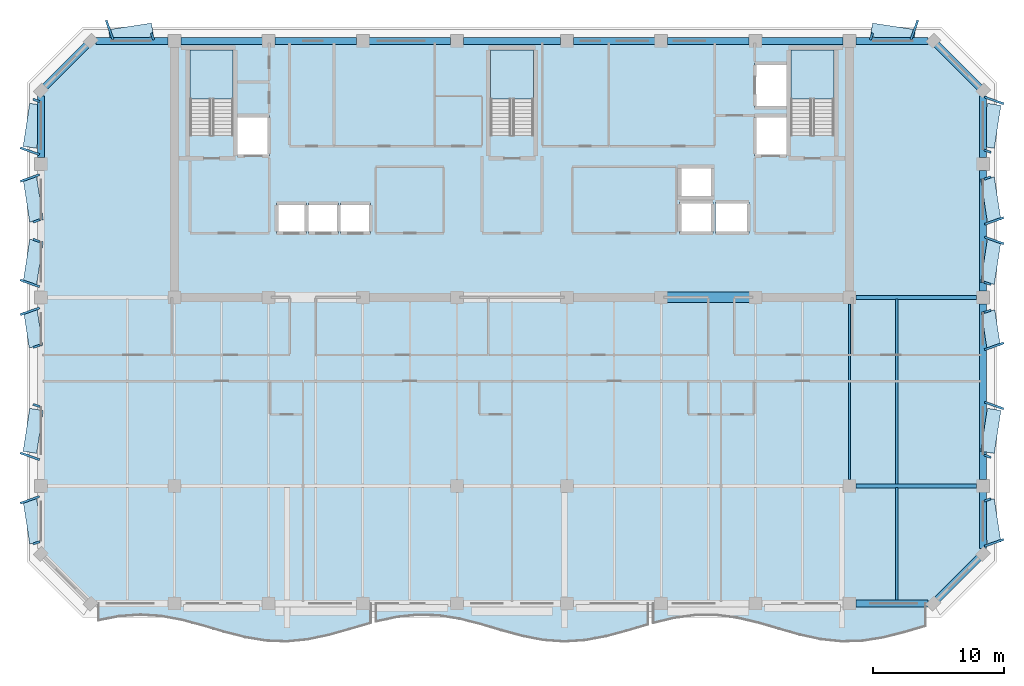
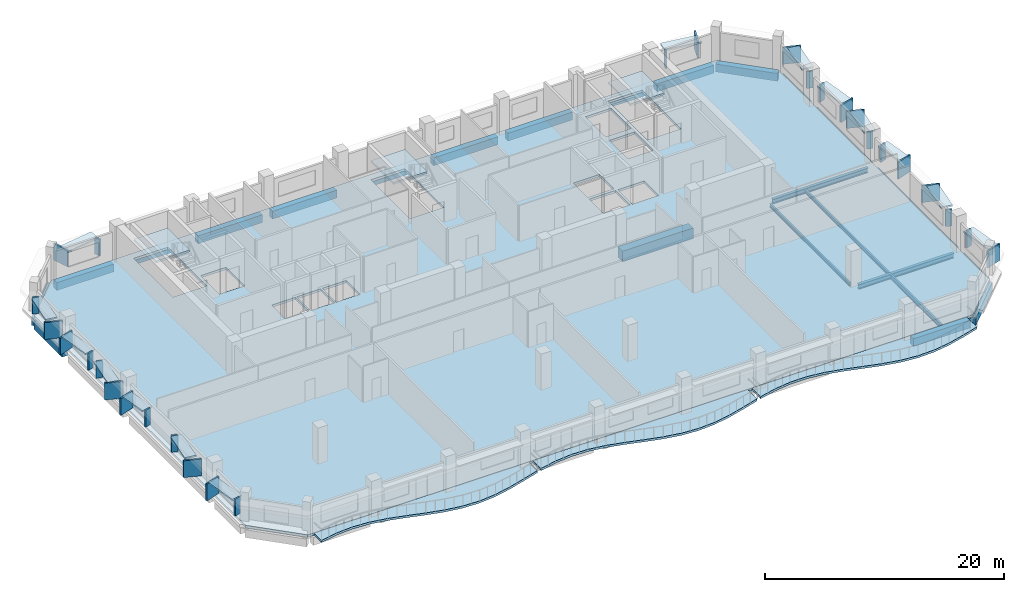
# One storey, part 2 of 11: 42 plates, 24 beams, 7 slabs, 3 elements without a shape of their own.
"""IFC4 building model written with IfcOpenShell, lengths in metres."""

from ifc_helpers import new_model, si_unit, direction, frame, origin, origin_2d, place, context, subcontext, project, spatial, polyline, rectangle, i_section, outline, extrude, material, layer, layer_set, material_profile, profile_set, type_object, element, aggregate, save


model = new_model("IFC4")

# Units and contexts
model_context = context("Model", 3, precision=1e-05, world=origin(), true_north=direction((0.0, 1.0)))
body_context = subcontext(model_context, "Body", "Model", "MODEL_VIEW")
ifc_project = project(units=[si_unit("LENGTHUNIT", "METRE"), si_unit("AREAUNIT", "SQUARE_METRE"), si_unit("VOLUMEUNIT", "CUBIC_METRE"), si_unit("PLANEANGLEUNIT", "RADIAN"), si_unit("MASSUNIT", "GRAM", prefix="KILO")], contexts=[model_context])

# Site, building, storey
site_placement = place(None, origin())
site = spatial("IfcSite", under=ifc_project, at=site_placement, CompositionType="ELEMENT")
building_placement = place(site_placement, origin())
building = spatial("IfcBuilding", under=site, at=building_placement, Name="Kaelvorn Grand Hotel", CompositionType="ELEMENT")
storey_placement = place(building_placement, frame((0.0, 0.0, 268.64990234375)))
storey = spatial("IfcBuildingStorey", under=building, at=storey_placement, Name="L66", CompositionType="ELEMENT", Elevation=268.64990234375)

# Beams
ifc_material_1 = material(Name="Steel S355", Category="steel")
ifc_material_profile_1 = material_profile(ifc_material_1, i_section(OverallWidth=0.300048828125, OverallDepth=0.5, WebThickness=0.014404296875, FlangeThickness=0.028076171875, FilletRadius=0.027099609375, at=origin_2d()), Name="HEB 500")
ifc_profile_set_1 = profile_set([ifc_material_profile_1], Name="Steel S355")
beam_type_1 = type_object("IfcBeamType", Name="BM-G-HEB500-S355", PredefinedType="BEAM", material=ifc_profile_set_1)
for number, where, z_axis, x_axis, name in (
    (1, (68.284912109375, 15.0, -0.489990234375), (1.0, 0.0, 0.0), (0.0, 1.0, 0.0), "L66 Primary Spine Steel Girder G-15 05"),
    (2, (68.284912109375, 29.39990234375, -0.489990234375), (1.0, 0.0, 0.0), (0.0, 1.0, 0.0), "L66 East Core Wing Steel Girder G-29E 01"),
):
    element("IfcBeam", number, at=place(storey_placement, frame(where, z_axis=z_axis, x_axis=x_axis)), inside=storey, type_object=beam_type_1, Name=name, PredefinedType="BEAM", context=body_context, shape_type="SweptSolid", body=[
        extrude(i_section(OverallWidth=0.300048828125, OverallDepth=0.5, WebThickness=0.014404296875, FlangeThickness=0.028076171875, FilletRadius=0.027099609375, at=origin_2d()), origin(), (0.0, 0.0, 1.0), 9.22998046875),
    ])
ifc_material_profile_2 = material_profile(ifc_material_1, i_section(OverallWidth=0.169921875, OverallDepth=0.360107421875, WebThickness=0.008056640625, FlangeThickness=0.0126953125, FilletRadius=0.01806640625, at=origin_2d()), Name="IPE 360")
ifc_profile_set_2 = profile_set([ifc_material_profile_2], Name="Steel S355")
beam_type_2 = type_object("IfcBeamType", Name="BM-J-IPE360-S355", PredefinedType="JOIST", material=ifc_profile_set_2)
beam_1_placement = place(storey_placement, frame((67.800048828125, 15.485107421875, -0.419921875), z_axis=(0.0, 1.0, 0.0), x_axis=(-1.0, 0.0, 0.0)))
element("IfcBeam", 3, at=beam_1_placement, inside=storey, type_object=beam_type_2, Name="L66 Composite Floor Joist JM-19", PredefinedType="JOIST", context=body_context, shape_type="SweptSolid", body=[
    extrude(i_section(OverallWidth=0.169921875, OverallDepth=0.360107421875, WebThickness=0.008056640625, FlangeThickness=0.0126953125, FilletRadius=0.01806640625, at=origin_2d()), origin(), (0.0, 0.0, 1.0), 13.429931640625),
])
beam_2_placement = place(storey_placement, frame((71.39990234375, 15.135009765625, -0.419921875), z_axis=(0.0, 1.0, 0.0), x_axis=(-1.0, 0.0, 0.0)))
element("IfcBeam", 4, at=beam_2_placement, inside=storey, type_object=beam_type_2, Name="L66 Composite Floor Joist JM-20", PredefinedType="JOIST", context=body_context, shape_type="SweptSolid", body=[
    extrude(i_section(OverallWidth=0.169921875, OverallDepth=0.360107421875, WebThickness=0.008056640625, FlangeThickness=0.0126953125, FilletRadius=0.01806640625, at=origin_2d()), origin(), (0.0, 0.0, 1.0), 14.1298828125),
])
ifc_material_profile_3 = material_profile(ifc_material_1, i_section(OverallWidth=0.18994140625, OverallDepth=0.449951171875, WebThickness=0.009521484375, FlangeThickness=0.0146484375, FilletRadius=0.02099609375, at=origin_2d()), Name="IPE 450")
ifc_profile_set_3 = profile_set([ifc_material_profile_3], Name="Steel S355")
beam_type_3 = type_object("IfcBeamType", Name="BM-J-IPE450-S355", PredefinedType="JOIST", material=ifc_profile_set_3)
beam_3_placement = place(storey_placement, frame((71.39990234375, 6.260009765625, -0.46484375), z_axis=(0.0, 1.0, 0.0), x_axis=(-1.0, 0.0, 0.0)))
element("IfcBeam", 5, at=beam_3_placement, inside=storey, type_object=beam_type_3, Name="L66 Composite Floor Joist JS-20", PredefinedType="JOIST", context=body_context, shape_type="SweptSolid", body=[
    extrude(i_section(OverallWidth=0.18994140625, OverallDepth=0.449951171875, WebThickness=0.009521484375, FlangeThickness=0.0146484375, FilletRadius=0.02099609375, at=origin_2d()), origin(), (0.0, 0.0, 1.0), 8.60498046875),
])
ifc_material_2 = material(Name="Concrete C60/75", Category="concrete")
ifc_material_profile_4 = material_profile(ifc_material_2, rectangle(XDim=0.800048828125, YDim=1.10009765625, at=origin_2d()), Name="RC LINTEL 800x1100")
ifc_profile_set_4 = profile_set([ifc_material_profile_4], Name="Concrete C60/75")
beam_type_4 = type_object("IfcBeamType", Name="BM-LIN-800x1100-C60", PredefinedType="LINTEL", material=ifc_profile_set_4)
beam_4_placement = place(storey_placement, frame((53.580078125, 29.39990234375, -0.789794921875), z_axis=(1.0, 0.0, 0.0), x_axis=(0.0, 1.0, 0.0)))
element("IfcBeam", 6, at=beam_4_placement, inside=storey, type_object=beam_type_4, Name="L66 Rear-Core Coupling Lintel Beam CB1-03", PredefinedType="LINTEL", context=body_context, shape_type="SweptSolid", body=[
    extrude(rectangle(XDim=0.800048828125, YDim=1.10009765625, at=origin_2d()), origin(), (0.0, 0.0, 1.0), 6.83984375),
])
ifc_material_3 = material(Name="Concrete C50/60", Category="concrete")
ifc_material_profile_5 = material_profile(ifc_material_3, rectangle(XDim=0.550048828125, YDim=0.800048828125, at=origin_2d()), Name="RC SPANDREL 550x800")
ifc_profile_set_5 = profile_set([ifc_material_profile_5], Name="Concrete C50/60")
beam_type_5 = type_object("IfcBeamType", Name="BM-SP-550x800-C50", PredefinedType="SPANDREL", material=ifc_profile_set_5)
for number, where, z_axis, x_axis, name in (
    (7, (68.284912109375, 6.0, -0.639892578125), (1.0, 0.0, 0.0), (0.0, 1.0, 0.0), "L66 South Perimeter Spandrel 09"),
    (8, (10.205078125, 49.0, -0.639892578125), (1.0, 0.0, 0.0), (0.0, 1.0, 0.0), "L66 North Perimeter Spandrel 01"),
):
    element("IfcBeam", number, at=place(storey_placement, frame(where, z_axis=z_axis, x_axis=x_axis)), inside=storey, type_object=beam_type_5, Name=name, PredefinedType="SPANDREL", context=body_context, shape_type="SweptSolid", body=[
        extrude(rectangle(XDim=0.550048828125, YDim=0.800048828125, at=origin_2d()), origin(), (0.0, 0.0, 1.0), 5.510009765625),
    ])
for number, where, z_axis, x_axis, name in (
    (9, (16.68505859375, 49.0, -0.639892578125), (1.0, 0.0, 0.0), (0.0, 1.0, 0.0), "L66 North Perimeter Spandrel 02"),
    (10, (23.885009765625, 49.0, -0.639892578125), (1.0, 0.0, 0.0), (0.0, 1.0, 0.0), "L66 North Perimeter Spandrel 03"),
    (11, (31.0849609375, 49.0, -0.639892578125), (1.0, 0.0, 0.0), (0.0, 1.0, 0.0), "L66 North Perimeter Spandrel 04"),
):
    element("IfcBeam", number, at=place(storey_placement, frame(where, z_axis=z_axis, x_axis=x_axis)), inside=storey, type_object=beam_type_5, Name=name, PredefinedType="SPANDREL", context=body_context, shape_type="SweptSolid", body=[
        extrude(rectangle(XDim=0.550048828125, YDim=0.800048828125, at=origin_2d()), origin(), (0.0, 0.0, 1.0), 6.22998046875),
    ])
beam_5_placement = place(storey_placement, frame((38.284912109375, 49.0, -0.639892578125), z_axis=(1.0, 0.0, 0.0), x_axis=(0.0, 1.0, 0.0)))
element("IfcBeam", 12, at=beam_5_placement, inside=storey, type_object=beam_type_5, Name="L66 North Perimeter Spandrel 05", PredefinedType="SPANDREL", context=body_context, shape_type="SweptSolid", body=[
    extrude(rectangle(XDim=0.550048828125, YDim=0.800048828125, at=origin_2d()), origin(), (0.0, 0.0, 1.0), 7.43017578125),
])
for number, where, z_axis, x_axis, name in (
    (13, (46.68505859375, 49.0, -0.639892578125), (1.0, 0.0, 0.0), (0.0, 1.0, 0.0), "L66 North Perimeter Spandrel 06"),
    (14, (53.885009765625, 49.0, -0.639892578125), (1.0, 0.0, 0.0), (0.0, 1.0, 0.0), "L66 North Perimeter Spandrel 07"),
    (15, (61.0849609375, 49.0, -0.639892578125), (1.0, 0.0, 0.0), (0.0, 1.0, 0.0), "L66 North Perimeter Spandrel 08"),
):
    element("IfcBeam", number, at=place(storey_placement, frame(where, z_axis=z_axis, x_axis=x_axis)), inside=storey, type_object=beam_type_5, Name=name, PredefinedType="SPANDREL", context=body_context, shape_type="SweptSolid", body=[
        extrude(rectangle(XDim=0.550048828125, YDim=0.800048828125, at=origin_2d()), origin(), (0.0, 0.0, 1.0), 6.22998046875),
    ])
beam_6_placement = place(storey_placement, frame((68.284912109375, 49.0, -0.639892578125), z_axis=(1.0, 0.0, 0.0), x_axis=(0.0, 1.0, 0.0)))
element("IfcBeam", 16, at=beam_6_placement, inside=storey, type_object=beam_type_5, Name="L66 North Perimeter Spandrel 09", PredefinedType="SPANDREL", context=body_context, shape_type="SweptSolid", body=[
    extrude(rectangle(XDim=0.550048828125, YDim=0.800048828125, at=origin_2d()), origin(), (0.0, 0.0, 1.0), 5.510009765625),
])
beam_7_placement = place(storey_placement, frame((6.0, 40.0849609375, -0.639892578125), z_axis=(0.0, 1.0, 0.0), x_axis=(-1.0, 0.0, 0.0)))
element("IfcBeam", 17, at=beam_7_placement, inside=storey, type_object=beam_type_5, Name="L66 West Perimeter Spandrel 04", PredefinedType="SPANDREL", context=body_context, shape_type="SweptSolid", body=[
    extrude(rectangle(XDim=0.550048828125, YDim=0.800048828125, at=origin_2d()), origin(), (0.0, 0.0, 1.0), 4.7099609375),
])
beam_8_placement = place(storey_placement, frame((78.0, 10.205078125, -0.639892578125), z_axis=(0.0, 1.0, 0.0), x_axis=(-1.0, 0.0, 0.0)))
element("IfcBeam", 18, at=beam_8_placement, inside=storey, type_object=beam_type_5, Name="L66 East Perimeter Spandrel 01", PredefinedType="SPANDREL", context=body_context, shape_type="SweptSolid", body=[
    extrude(rectangle(XDim=0.550048828125, YDim=0.800048828125, at=origin_2d()), origin(), (0.0, 0.0, 1.0), 4.309814453125),
])
beam_9_placement = place(storey_placement, frame((78.0, 15.485107421875, -0.639892578125), z_axis=(0.0, 1.0, 0.0), x_axis=(-1.0, 0.0, 0.0)))
element("IfcBeam", 19, at=beam_9_placement, inside=storey, type_object=beam_type_5, Name="L66 East Perimeter Spandrel 02", PredefinedType="SPANDREL", context=body_context, shape_type="SweptSolid", body=[
    extrude(rectangle(XDim=0.550048828125, YDim=0.800048828125, at=origin_2d()), origin(), (0.0, 0.0, 1.0), 13.429931640625),
])
beam_10_placement = place(storey_placement, frame((78.0, 29.885009765625, -0.639892578125), z_axis=(0.0, 1.0, 0.0), x_axis=(-1.0, 0.0, 0.0)))
element("IfcBeam", 20, at=beam_10_placement, inside=storey, type_object=beam_type_5, Name="L66 East Perimeter Spandrel 03", PredefinedType="SPANDREL", context=body_context, shape_type="SweptSolid", body=[
    extrude(rectangle(XDim=0.550048828125, YDim=0.800048828125, at=origin_2d()), origin(), (0.0, 0.0, 1.0), 9.22998046875),
])
beam_11_placement = place(storey_placement, frame((78.0, 40.0849609375, -0.639892578125), z_axis=(0.0, 1.0, 0.0), x_axis=(-1.0, 0.0, 0.0)))
element("IfcBeam", 21, at=beam_11_placement, inside=storey, type_object=beam_type_5, Name="L66 East Perimeter Spandrel 04", PredefinedType="SPANDREL", context=body_context, shape_type="SweptSolid", body=[
    extrude(rectangle(XDim=0.550048828125, YDim=0.800048828125, at=origin_2d()), origin(), (0.0, 0.0, 1.0), 4.7099609375),
])
for number, where, z_axis, x_axis, name in (
    (22, (74.199951171875, 6.0, -0.639892578125), (0.707106781187, 0.707106781187, 0.0), (-0.707106781187, 0.707106781187, 0.0), "L66 Chamfer Spandrel Beam 1"),
    (23, (78.0, 45.199951171875, -0.639892578125), (-0.707106781187, 0.707106781187, 0.0), (-0.707106781187, -0.707106781187, 0.0), "L66 Chamfer Spandrel Beam 2"),
    (24, (9.800048828125, 49.0, -0.639892578125), (-0.707106781187, -0.707106781187, 0.0), (0.707106781187, -0.707106781187, 0.0), "L66 Chamfer Spandrel Beam 3"),
):
    element("IfcBeam", number, at=place(storey_placement, frame(where, z_axis=z_axis, x_axis=x_axis)), inside=storey, type_object=beam_type_5, Name=name, PredefinedType="SPANDREL", context=body_context, shape_type="SweptSolid", body=[
        extrude(rectangle(XDim=0.550048828125, YDim=0.800048828125, at=origin_2d()), origin(), (0.0, 0.0, 1.0), 5.3740234375),
    ])

# Plates
ifc_material_4 = material(Name="Precast concrete C45/55", Category="concrete")
ifc_layer_1 = layer(ifc_material_4, 0.159912109375)
ifc_layer_set_1 = layer_set([ifc_layer_1], Name="Precast concrete C45/55")
plate_type_1 = type_object("IfcPlateType", Name="PL-FRAME-DEEP-1550", PredefinedType="USERDEFINED", material=ifc_layer_set_1)
for number, where, z_axis, x_axis, name in (
    (25, (78.844970703125, 10.64501953125, 0.740234375), (0.0, 0.0, 1.0), (-0.333806859234, 0.942641491092, 0.0), "L66 Tilted Precast Window Frame Fin L-E01"),
    (26, (78.844970703125, 21.139892578125, 0.81494140625), (0.0, 0.0, 1.0), (0.333806859234, 0.942641491092, 0.0), "L66 Tilted Precast Window Frame Fin R-E02"),
    (27, (78.844970703125, 25.659912109375, 0.740234375), (0.0, 0.0, 1.0), (-0.333806859234, 0.942641491092, 0.0), "L66 Tilted Precast Window Frame Fin L-E03"),
    (28, (78.844970703125, 33.7548828125, 0.740234375), (0.0, 0.0, 1.0), (0.333806859234, 0.942641491092, 0.0), "L66 Tilted Precast Window Frame Fin R-E04"),
    (29, (78.844970703125, 35.2451171875, 0.740234375), (0.0, 0.0, 1.0), (-0.333806859234, 0.942641491092, 0.0), "L66 Tilted Precast Window Frame Fin L-E05"),
    (30, (78.844970703125, 44.455078125, 0.81494140625), (0.0, 0.0, 1.0), (0.333806859234, 0.942641491092, 0.0), "L66 Tilted Precast Window Frame Fin R-E06"),
    (31, (5.155029296875, 13.925048828125, 0.740234375), (0.0, 0.0, 1.0), (-0.333806859234, 0.942641491092, 0.0), "L66 Tilted Precast Window Frame Fin R-W01"),
    (32, (5.155029296875, 17.260009765625, 0.81494140625), (0.0, 0.0, 1.0), (0.333806859234, 0.942641491092, 0.0), "L66 Tilted Precast Window Frame Fin L-W02"),
    (33, (5.155029296875, 28.340087890625, 0.740234375), (0.0, 0.0, 1.0), (-0.333806859234, 0.942641491092, 0.0), "L66 Tilted Precast Window Frame Fin R-W03"),
    (34, (5.155029296875, 30.47509765625, 0.740234375), (0.0, 0.0, 1.0), (0.333806859234, 0.942641491092, 0.0), "L66 Tilted Precast Window Frame Fin L-W04"),
    (35, (5.155029296875, 38.52490234375, 0.740234375), (0.0, 0.0, 1.0), (-0.333806859234, 0.942641491092, 0.0), "L66 Tilted Precast Window Frame Fin R-W05"),
    (36, (5.155029296875, 40.574951171875, 0.81494140625), (0.0, 0.0, 1.0), (0.333806859234, 0.942641491092, 0.0), "L66 Tilted Precast Window Frame Fin L-W06"),
    (37, (11.2451171875, 49.844970703125, 0.740234375), (0.0, 0.0, 1.0), (0.942641491092, 0.333806859234, 0.0), "L66 Tilted Precast Window Frame Fin L-N01"),
    (38, (72.7548828125, 49.844970703125, 0.740234375), (0.0, 0.0, 1.0), (0.942641491092, -0.333806859234, 0.0), "L66 Tilted Precast Window Frame Fin R-N02"),
):
    element("IfcPlate", number, at=place(storey_placement, frame(where, z_axis=z_axis, x_axis=x_axis)), inside=storey, type_object=plate_type_1, Name=name, ObjectType="FLANGE_PLATE", PredefinedType="USERDEFINED", context=body_context, shape_type="SweptSolid", body=[
        extrude(rectangle(XDim=0.159912109375, YDim=1.550048828125, at=origin_2d()), origin(), (0.0, 0.0, 1.0), 1.719970703125),
    ])
ifc_layer_2 = layer(ifc_material_4, 0.159912109375)
ifc_layer_set_2 = layer_set([ifc_layer_2], Name="Precast concrete C45/55")
plate_type_2 = type_object("IfcPlateType", Name="PL-FRAME-HEAD-1050", PredefinedType="USERDEFINED", material=ifc_layer_set_2)
for number, where, z_axis, x_axis, name in (
    (39, (78.594970703125, 12.284912109375, 2.35009765625), (0.0, 0.0, 1.0), (-0.152554625759, 0.988295040036, 0.0), "L66 Precast Window Frame Head Hood H-E01"),
    (40, (78.594970703125, 19.199951171875, 2.5), (0.0, 0.0, 1.0), (0.152554625759, 0.988295040036, 0.0), "L66 Precast Window Frame Head Hood H-E02"),
):
    element("IfcPlate", number, at=place(storey_placement, frame(where, z_axis=z_axis, x_axis=x_axis)), inside=storey, type_object=plate_type_2, Name=name, ObjectType="FLANGE_PLATE", PredefinedType="USERDEFINED", context=body_context, shape_type="SweptSolid", body=[
        extrude(rectangle(XDim=3.320068359375, YDim=1.050048828125, at=origin_2d()), origin(), (0.0, 0.0, 1.0), 0.159912109375),
    ])
plate_1_placement = place(storey_placement, frame((78.594970703125, 27.0, 2.35009765625), z_axis=(0.0, 0.0, 1.0), x_axis=(-0.152554625759, 0.988295040036, 0.0)))
element("IfcPlate", 41, at=plate_1_placement, inside=storey, type_object=plate_type_2, Name="L66 Precast Window Frame Head Hood H-E03", ObjectType="FLANGE_PLATE", PredefinedType="USERDEFINED", context=body_context, shape_type="SweptSolid", body=[
    extrude(rectangle(XDim=2.760009765625, YDim=1.050048828125, at=origin_2d()), origin(), (0.0, 0.0, 1.0), 0.159912109375),
])
for number, where, z_axis, x_axis, name in (
    (42, (78.594970703125, 32.114990234375, 2.35009765625), (0.0, 0.0, 1.0), (0.152554625759, 0.988295040036, 0.0), "L66 Precast Window Frame Head Hood H-E04"),
    (43, (78.594970703125, 36.885009765625, 2.35009765625), (0.0, 0.0, 1.0), (-0.152554625759, 0.988295040036, 0.0), "L66 Precast Window Frame Head Hood H-E05"),
    (44, (78.594970703125, 42.514892578125, 2.5), (0.0, 0.0, 1.0), (0.152554625759, 0.988295040036, 0.0), "L66 Precast Window Frame Head Hood H-E06"),
    (45, (5.405029296875, 12.284912109375, 2.35009765625), (0.0, 0.0, 1.0), (-0.152554625759, 0.988295040036, 0.0), "L66 Precast Window Frame Head Hood H-W01"),
    (46, (5.405029296875, 19.199951171875, 2.5), (0.0, 0.0, 1.0), (0.152554625759, 0.988295040036, 0.0), "L66 Precast Window Frame Head Hood H-W02"),
):
    element("IfcPlate", number, at=place(storey_placement, frame(where, z_axis=z_axis, x_axis=x_axis)), inside=storey, type_object=plate_type_2, Name=name, ObjectType="FLANGE_PLATE", PredefinedType="USERDEFINED", context=body_context, shape_type="SweptSolid", body=[
        extrude(rectangle(XDim=3.320068359375, YDim=1.050048828125, at=origin_2d()), origin(), (0.0, 0.0, 1.0), 0.159912109375),
    ])
plate_2_placement = place(storey_placement, frame((5.405029296875, 27.0, 2.35009765625), z_axis=(0.0, 0.0, 1.0), x_axis=(-0.152554625759, 0.988295040036, 0.0)))
element("IfcPlate", 47, at=plate_2_placement, inside=storey, type_object=plate_type_2, Name="L66 Precast Window Frame Head Hood H-W03", ObjectType="FLANGE_PLATE", PredefinedType="USERDEFINED", context=body_context, shape_type="SweptSolid", body=[
    extrude(rectangle(XDim=2.760009765625, YDim=1.050048828125, at=origin_2d()), origin(), (0.0, 0.0, 1.0), 0.159912109375),
])
for number, where, z_axis, x_axis, name in (
    (48, (5.405029296875, 32.114990234375, 2.35009765625), (0.0, 0.0, 1.0), (0.152554625759, 0.988295040036, 0.0), "L66 Precast Window Frame Head Hood H-W04"),
    (49, (5.405029296875, 36.885009765625, 2.35009765625), (0.0, 0.0, 1.0), (-0.152554625759, 0.988295040036, 0.0), "L66 Precast Window Frame Head Hood H-W05"),
    (50, (5.405029296875, 42.514892578125, 2.5), (0.0, 0.0, 1.0), (0.152554625759, 0.988295040036, 0.0), "L66 Precast Window Frame Head Hood H-W06"),
    (51, (12.885009765625, 49.594970703125, 2.35009765625), (0.0, 0.0, 1.0), (0.988295040036, 0.152554625759, 0.0), "L66 Precast Window Frame Head Hood H-N01"),
    (52, (71.114990234375, 49.594970703125, 2.35009765625), (0.0, 0.0, 1.0), (0.988295040036, -0.152554625759, 0.0), "L66 Precast Window Frame Head Hood H-N02"),
):
    element("IfcPlate", number, at=place(storey_placement, frame(where, z_axis=z_axis, x_axis=x_axis)), inside=storey, type_object=plate_type_2, Name=name, ObjectType="FLANGE_PLATE", PredefinedType="USERDEFINED", context=body_context, shape_type="SweptSolid", body=[
        extrude(rectangle(XDim=3.320068359375, YDim=1.050048828125, at=origin_2d()), origin(), (0.0, 0.0, 1.0), 0.159912109375),
    ])
ifc_layer_3 = layer(ifc_material_4, 0.159912109375)
ifc_layer_set_3 = layer_set([ifc_layer_3], Name="Precast concrete C45/55")
plate_type_3 = type_object("IfcPlateType", Name="PL-FRAME-SHAL-550", PredefinedType="USERDEFINED", material=ifc_layer_set_3)
for number, where, z_axis, x_axis, name in (
    (53, (78.344970703125, 13.925048828125, 0.740234375), (0.0, 0.0, 1.0), (-0.333806859234, 0.942641491092, 0.0), "L66 Tilted Precast Window Frame Fin R-E01"),
    (54, (78.344970703125, 17.260009765625, 0.81494140625), (0.0, 0.0, 1.0), (0.333806859234, 0.942641491092, 0.0), "L66 Tilted Precast Window Frame Fin L-E02"),
    (55, (78.344970703125, 28.340087890625, 0.740234375), (0.0, 0.0, 1.0), (-0.333806859234, 0.942641491092, 0.0), "L66 Tilted Precast Window Frame Fin R-E03"),
    (56, (78.344970703125, 30.47509765625, 0.740234375), (0.0, 0.0, 1.0), (0.333806859234, 0.942641491092, 0.0), "L66 Tilted Precast Window Frame Fin L-E04"),
    (57, (78.344970703125, 38.52490234375, 0.740234375), (0.0, 0.0, 1.0), (-0.333806859234, 0.942641491092, 0.0), "L66 Tilted Precast Window Frame Fin R-E05"),
    (58, (78.344970703125, 40.574951171875, 0.81494140625), (0.0, 0.0, 1.0), (0.333806859234, 0.942641491092, 0.0), "L66 Tilted Precast Window Frame Fin L-E06"),
    (59, (5.655029296875, 10.64501953125, 0.740234375), (0.0, 0.0, 1.0), (-0.333806859234, 0.942641491092, 0.0), "L66 Tilted Precast Window Frame Fin L-W01"),
    (60, (5.655029296875, 21.139892578125, 0.81494140625), (0.0, 0.0, 1.0), (0.333806859234, 0.942641491092, 0.0), "L66 Tilted Precast Window Frame Fin R-W02"),
    (61, (5.655029296875, 25.659912109375, 0.740234375), (0.0, 0.0, 1.0), (-0.333806859234, 0.942641491092, 0.0), "L66 Tilted Precast Window Frame Fin L-W03"),
    (62, (5.655029296875, 33.7548828125, 0.740234375), (0.0, 0.0, 1.0), (0.333806859234, 0.942641491092, 0.0), "L66 Tilted Precast Window Frame Fin R-W04"),
    (63, (5.655029296875, 35.2451171875, 0.740234375), (0.0, 0.0, 1.0), (-0.333806859234, 0.942641491092, 0.0), "L66 Tilted Precast Window Frame Fin L-W05"),
    (64, (5.655029296875, 44.455078125, 0.81494140625), (0.0, 0.0, 1.0), (0.333806859234, 0.942641491092, 0.0), "L66 Tilted Precast Window Frame Fin R-W06"),
    (65, (14.52490234375, 49.344970703125, 0.740234375), (0.0, 0.0, 1.0), (0.942641491092, 0.333806859234, 0.0), "L66 Tilted Precast Window Frame Fin R-N01"),
    (66, (69.47509765625, 49.344970703125, 0.740234375), (0.0, 0.0, 1.0), (0.942641491092, -0.333806859234, 0.0), "L66 Tilted Precast Window Frame Fin L-N02"),
):
    element("IfcPlate", number, at=place(storey_placement, frame(where, z_axis=z_axis, x_axis=x_axis)), inside=storey, type_object=plate_type_3, Name=name, ObjectType="FLANGE_PLATE", PredefinedType="USERDEFINED", context=body_context, shape_type="SweptSolid", body=[
        extrude(rectangle(XDim=0.159912109375, YDim=0.550048828125, at=origin_2d()), origin(), (0.0, 0.0, 1.0), 1.719970703125),
    ])

# Slabs
ifc_material_5 = material(Name="Concrete C40/50", Category="concrete")
ifc_layer_4 = layer(ifc_material_5, 0.219970703125)
ifc_layer_set_4 = layer_set([ifc_layer_4], Name="Concrete C40/50")
slab_type_1 = type_object("IfcSlabType", Name="SLB-BALC-220-C40", PredefinedType="FLOOR", material=ifc_layer_set_4)
slab_1_placement = place(storey_placement, frame((0.0, 0.0, -0.219970703125)))
element("IfcSlab", 67, at=slab_1_placement, inside=storey, type_object=slab_type_1, Name="L66 Scalloped Wave Balcony Slab 1", PredefinedType="FLOOR", context=body_context, shape_type="SweptSolid", body=[
    extrude(outline(polyline([(10.39990234375, 4.7275390625), (12.0, 5.03564453125), (13.60009765625, 5.14990234375), (15.199951171875, 5.046142578125), (16.800048828125, 4.74658203125), (18.39990234375, 4.314697265625), (20.0, 3.842529296875), (21.60009765625, 3.430419921875), (23.199951171875, 3.166015625), (24.800048828125, 3.105712890625), (26.39990234375, 3.26220703125), (28.0, 3.602294921875), (29.60009765625, 4.053466796875), (31.199951171875, 4.52001953125), (31.199951171875, 6.0), (10.39990234375, 6.0), (10.39990234375, 4.7275390625)])), origin(), (0.0, 0.0, 1.0), 0.219970703125),
])
slab_2_placement = place(storey_placement, frame((0.0, 0.0, -0.219970703125)))
element("IfcSlab", 68, at=slab_2_placement, inside=storey, type_object=slab_type_1, Name="L66 Scalloped Wave Balcony Slab 2", PredefinedType="FLOOR", context=body_context, shape_type="SweptSolid", body=[
    extrude(outline(polyline([(31.60009765625, 4.627197265625), (33.199951171875, 4.974853515625), (34.800048828125, 5.1416015625), (36.39990234375, 5.09228515625), (38.0, 4.8369140625), (39.60009765625, 4.430419921875), (41.199951171875, 3.958740234375), (42.800048828125, 3.5224609375), (44.39990234375, 3.21435546875), (46.0, 3.10009765625), (47.60009765625, 3.203857421875), (49.199951171875, 3.50341796875), (50.800048828125, 3.935302734375), (52.39990234375, 4.407470703125), (52.39990234375, 6.0), (31.60009765625, 6.0), (31.60009765625, 4.627197265625)])), origin(), (0.0, 0.0, 1.0), 0.219970703125),
])
slab_3_placement = place(storey_placement, frame((0.0, 0.0, -0.219970703125)))
element("IfcSlab", 69, at=slab_3_placement, inside=storey, type_object=slab_type_1, Name="L66 Scalloped Wave Balcony Slab 3", PredefinedType="FLOOR", context=body_context, shape_type="SweptSolid", body=[
    extrude(outline(polyline([(52.800048828125, 4.52001953125), (54.39990234375, 4.902587890625), (56.0, 5.11962890625), (57.60009765625, 5.125), (59.199951171875, 4.917724609375), (60.800048828125, 4.5419921875), (62.39990234375, 4.077392578125), (64.0, 3.622802734375), (65.60009765625, 3.275146484375), (67.199951171875, 3.1083984375), (68.800048828125, 3.15771484375), (70.39990234375, 3.4130859375), (72.0, 3.819580078125), (73.60009765625, 4.291259765625), (73.60009765625, 6.0), (52.800048828125, 6.0), (52.800048828125, 4.52001953125)])), origin(), (0.0, 0.0, 1.0), 0.219970703125),
])
ifc_layer_5 = layer(ifc_material_5, 0.239990234375)
ifc_layer_set_5 = layer_set([ifc_layer_5], Name="Concrete C40/50")
slab_type_2 = type_object("IfcSlabType", Name="SLB-FLR-240-C40", PredefinedType="FLOOR", material=ifc_layer_set_5)
slab_4_placement = place(storey_placement, frame((0.0, 0.0, -0.239990234375)))
element("IfcSlab", 70, at=slab_4_placement, inside=storey, type_object=slab_type_2, Name="L66 Indoor Suspended Floor Slab", PredefinedType="FLOOR", context=body_context, shape_type="SweptSolid", body=[
    extrude(outline(polyline([(9.800048828125, 6.0), (74.199951171875, 6.0), (78.0, 9.800048828125), (78.0, 45.199951171875), (74.199951171875, 49.0), (9.800048828125, 49.0), (6.0, 45.199951171875), (6.0, 9.800048828125), (9.800048828125, 6.0)]), holes=[polyline([(17.39990234375, 41.760009765625), (17.39990234375, 48.300048828125), (20.679931640625, 48.300048828125), (20.679931640625, 41.760009765625), (17.39990234375, 41.760009765625)]), polyline([(40.360107421875, 41.760009765625), (40.360107421875, 48.300048828125), (43.639892578125, 48.300048828125), (43.639892578125, 41.760009765625), (40.360107421875, 41.760009765625)]), polyline([(63.320068359375, 41.760009765625), (63.320068359375, 48.300048828125), (66.60009765625, 48.300048828125), (66.60009765625, 41.760009765625), (63.320068359375, 41.760009765625)]), polyline([(24.0, 34.300048828125), (24.0, 36.60009765625), (26.300048828125, 36.60009765625), (26.300048828125, 34.300048828125), (24.0, 34.300048828125)]), polyline([(26.449951171875, 34.300048828125), (26.449951171875, 36.60009765625), (28.75, 36.60009765625), (28.75, 34.300048828125), (26.449951171875, 34.300048828125)]), polyline([(28.89990234375, 34.300048828125), (28.89990234375, 36.60009765625), (31.199951171875, 36.60009765625), (31.199951171875, 34.300048828125), (28.89990234375, 34.300048828125)]), polyline([(54.800048828125, 34.300048828125), (54.800048828125, 36.699951171875), (57.35009765625, 36.699951171875), (57.35009765625, 34.300048828125), (54.800048828125, 34.300048828125)]), polyline([(57.550048828125, 34.300048828125), (57.550048828125, 36.699951171875), (60.10009765625, 36.699951171875), (60.10009765625, 34.300048828125), (57.550048828125, 34.300048828125)]), polyline([(54.800048828125, 37.0), (54.800048828125, 39.39990234375), (57.35009765625, 39.39990234375), (57.35009765625, 37.0), (54.800048828125, 37.0)]), polyline([(21.0, 40.199951171875), (21.0, 43.300048828125), (23.449951171875, 43.300048828125), (23.449951171875, 40.199951171875), (21.0, 40.199951171875)]), polyline([(60.550048828125, 40.199951171875), (60.550048828125, 43.300048828125), (63.0, 43.300048828125), (63.0, 40.199951171875), (60.550048828125, 40.199951171875)]), polyline([(60.550048828125, 43.89990234375), (60.550048828125, 47.300048828125), (63.0, 47.300048828125), (63.0, 43.89990234375), (60.550048828125, 43.89990234375)])]), origin(), (0.0, 0.0, 1.0), 0.239990234375),
])

# Stair, slab
stair_type = type_object("IfcStairType", Name="STR-DOG-1560-R09", PredefinedType="HALF_TURN_STAIR", material=ifc_material_5)
stair_1_placement = place(storey_placement, origin())
stair_1 = element("IfcStair", 71, at=stair_1_placement, inside=storey, type_object=stair_type, Name="L66 West Core Exit Stair ST1", PredefinedType="HALF_TURN_STAIR")
ifc_layer_6 = layer(ifc_material_5, 0.199951171875)
ifc_layer_set_6 = layer_set([ifc_layer_6], Name="Concrete C40/50")
slab_type_3 = type_object("IfcSlabType", Name="SLB-LAND-200-C40", PredefinedType="LANDING", material=ifc_layer_set_6)
slab_5_placement = place(storey_placement, frame((0.0, 0.0, 1.775146484375)))
slab_5 = element("IfcSlab", 72, at=slab_5_placement, type_object=slab_type_3, Name="ST1 landing 1", PredefinedType="LANDING", context=body_context, shape_type="SweptSolid", body=[
    extrude(outline(polyline([(20.679931640625, 44.56005859375), (20.679931640625, 48.300048828125), (17.39990234375, 48.300048828125), (17.39990234375, 44.56005859375), (20.679931640625, 44.56005859375)])), origin(), (0.0, 0.0, 1.0), 0.199951171875),
])
aggregate(stair_1, [slab_5])

stair_2_placement = place(storey_placement, origin())
stair_2 = element("IfcStair", 73, at=stair_2_placement, inside=storey, type_object=stair_type, Name="L66 Central Core Exit Stair ST2", PredefinedType="HALF_TURN_STAIR")
slab_6_placement = place(storey_placement, frame((0.0, 0.0, 1.775146484375)))
slab_6 = element("IfcSlab", 74, at=slab_6_placement, type_object=slab_type_3, Name="ST2 landing 1", PredefinedType="LANDING", context=body_context, shape_type="SweptSolid", body=[
    extrude(outline(polyline([(43.639892578125, 44.56005859375), (43.639892578125, 48.300048828125), (40.360107421875, 48.300048828125), (40.360107421875, 44.56005859375), (43.639892578125, 44.56005859375)])), origin(), (0.0, 0.0, 1.0), 0.199951171875),
])
aggregate(stair_2, [slab_6])

stair_3_placement = place(storey_placement, origin())
stair_3 = element("IfcStair", 75, at=stair_3_placement, inside=storey, type_object=stair_type, Name="L66 East Core Exit Stair ST3", PredefinedType="HALF_TURN_STAIR")
slab_7_placement = place(storey_placement, frame((0.0, 0.0, 1.775146484375)))
slab_7 = element("IfcSlab", 76, at=slab_7_placement, type_object=slab_type_3, Name="ST3 landing 1", PredefinedType="LANDING", context=body_context, shape_type="SweptSolid", body=[
    extrude(outline(polyline([(66.60009765625, 44.56005859375), (66.60009765625, 48.300048828125), (63.320068359375, 48.300048828125), (63.320068359375, 44.56005859375), (66.60009765625, 44.56005859375)])), origin(), (0.0, 0.0, 1.0), 0.199951171875),
])
aggregate(stair_3, [slab_7])

save(model, "model.ifc")
